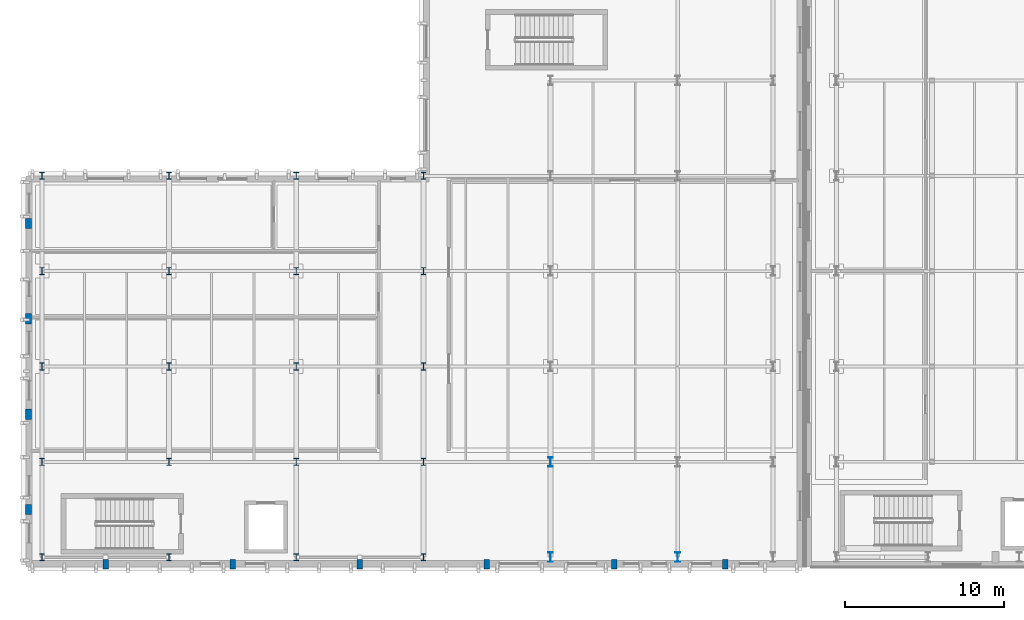
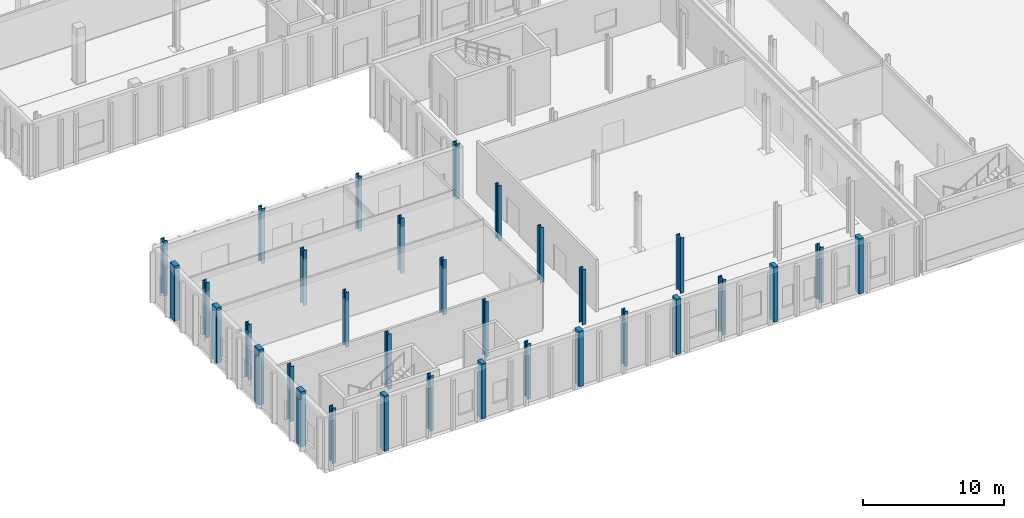
# One storey, part 1 of 60: 33 columns.
"""IFC4 building model written with IfcOpenShell, lengths in metres."""

from ifc_helpers import new_model, si_unit, direction, frame, origin, origin_2d, place, context, subcontext, project, spatial, rectangle, i_section, extrude, material, material_profile, profile_set, type_object, element, save


model = new_model("IFC4")

# Units and contexts
model_context = context("Model", 3, precision=1e-05, world=origin(), true_north=direction((0.0, 1.0)))
body_context = subcontext(model_context, "Body", "Model", "MODEL_VIEW")
ifc_project = project(units=[si_unit("LENGTHUNIT", "METRE"), si_unit("AREAUNIT", "SQUARE_METRE"), si_unit("VOLUMEUNIT", "CUBIC_METRE"), si_unit("PLANEANGLEUNIT", "RADIAN"), si_unit("MASSUNIT", "GRAM", prefix="KILO")], contexts=[model_context])

# Site, building, storey
site_placement = place(None, origin())
site = spatial("IfcSite", under=ifc_project, at=site_placement, CompositionType="ELEMENT")
building_placement = place(site_placement, origin())
building = spatial("IfcBuilding", under=site, at=building_placement, Name="Cymarion Research Institute", CompositionType="ELEMENT")
storey_placement = place(building_placement, origin())
storey = spatial("IfcBuildingStorey", under=building, at=storey_placement, Name="L00", CompositionType="ELEMENT", Elevation=0.0)

# Columns
ifc_material_1 = material(Name="Concrete C40/50", Category="concrete")
ifc_material_profile_1 = material_profile(ifc_material_1, rectangle(XDim=0.35009765625, YDim=0.60009765625, at=origin_2d()), Name="RC 350x600")
ifc_profile_set_1 = profile_set([ifc_material_profile_1], Name="Concrete C40/50")
column_type_1 = type_object("IfcColumnType", Name="CONCRETE PILASTER PL01 RC 350x600", PredefinedType="PILASTER", material=ifc_profile_set_1)
for number, where, z_axis, x_axis, name in (
    (1, (10.60009765625, 5.050048828125, 0.0), (0.0, 0.0, 1.0), (1.0, 0.0, 0.0), "L00 V3 column PL01 #247"),
    (2, (18.60009765625, 5.050048828125, 0.0), (0.0, 0.0, 1.0), (1.0, 0.0, 0.0), "L00 V3 column PL01 #262"),
    (3, (26.60009765625, 5.050048828125, 0.0), (0.0, 0.0, 1.0), (1.0, 0.0, 0.0), "L00 V3 column PL01 #278"),
    (4, (34.60009765625, 5.050048828125, 0.0), (0.0, 0.0, 1.0), (1.0, 0.0, 0.0), "L00 V3 column PL01 #294"),
    (5, (42.60009765625, 5.050048828125, 0.0), (0.0, 0.0, 1.0), (1.0, 0.0, 0.0), "L00 V3 column PL01 #316"),
    (6, (49.60009765625, 5.050048828125, 0.0), (0.0, 0.0, 1.0), (1.0, 0.0, 0.0), "L00 V3 column PL01 #333"),
):
    element("IfcColumn", number, at=place(storey_placement, frame(where, z_axis=z_axis, x_axis=x_axis)), inside=storey, type_object=column_type_1, Name=name, PredefinedType="PILASTER", context=body_context, shape_type="SweptSolid", body=[
        extrude(rectangle(XDim=0.35009765625, YDim=0.60009765625, at=origin_2d()), origin(), (0.0, 0.0, 1.0), 4.800048828125),
    ])
ifc_material_profile_2 = material_profile(ifc_material_1, rectangle(XDim=0.39990234375, YDim=0.64990234375, at=origin_2d()), Name="RC 400x650")
ifc_profile_set_2 = profile_set([ifc_material_profile_2], Name="Concrete C40/50")
column_type_2 = type_object("IfcColumnType", Name="CONCRETE PILASTER PL02 RC 400x650", PredefinedType="PILASTER", material=ifc_profile_set_2)
for number, where, z_axis, x_axis, name in (
    (7, (5.75, 8.5, 0.0), (0.0, 0.0, 1.0), (1.0, 0.0, 0.0), "L00 V3 column PL02 #228"),
    (8, (5.75, 14.5, 0.0), (0.0, 0.0, 1.0), (1.0, 0.0, 0.0), "L00 V3 column PL02 #229"),
    (9, (5.75, 20.5, 0.0), (0.0, 0.0, 1.0), (1.0, 0.0, 0.0), "L00 V3 column PL02 #230"),
    (10, (5.75, 26.5, 0.0), (0.0, 0.0, 1.0), (1.0, 0.0, 0.0), "L00 V3 column PL02 #231"),
):
    element("IfcColumn", number, at=place(storey_placement, frame(where, z_axis=z_axis, x_axis=x_axis)), inside=storey, type_object=column_type_2, Name=name, PredefinedType="PILASTER", context=body_context, shape_type="SweptSolid", body=[
        extrude(rectangle(XDim=0.39990234375, YDim=0.64990234375, at=origin_2d()), origin(), (0.0, 0.0, 1.0), 4.800048828125),
    ])
ifc_material_2 = material(Name="Steel S355", Category="steel")
ifc_material_profile_3 = material_profile(ifc_material_2, i_section(OverallWidth=0.300048828125, OverallDepth=0.60009765625, WebThickness=0.015380859375, FlangeThickness=0.030029296875, FilletRadius=0.027099609375, at=origin_2d()), Name="HEB 600")
ifc_profile_set_3 = profile_set([ifc_material_profile_3], Name="Steel S355")
column_type_3 = type_object("IfcColumnType", Name="STRUCTURAL COLUMN C02 HEB 600", PredefinedType="COLUMN", material=ifc_profile_set_3)
for number, where, z_axis, x_axis, name in (
    (11, (38.60009765625, 5.5, 0.0), (0.0, 0.0, 1.0), (1.0, 0.0, 0.0), "L00 V3 column C02 #298"),
    (12, (38.60009765625, 11.5, 0.0), (0.0, 0.0, 1.0), (1.0, 0.0, 0.0), "L00 V3 column C02 #299"),
    (13, (46.60009765625, 5.5, 0.0), (0.0, 0.0, 1.0), (1.0, 0.0, 0.0), "L00 V3 column C02 #320"),
):
    element("IfcColumn", number, at=place(storey_placement, frame(where, z_axis=z_axis, x_axis=x_axis)), inside=storey, type_object=column_type_3, Name=name, PredefinedType="COLUMN", context=body_context, shape_type="SweptSolid", body=[
        extrude(i_section(OverallWidth=0.300048828125, OverallDepth=0.60009765625, WebThickness=0.015380859375, FlangeThickness=0.030029296875, FilletRadius=0.027099609375, at=origin_2d()), origin(), (0.0, 0.0, 1.0), 4.800048828125),
    ])
ifc_material_profile_4 = material_profile(ifc_material_2, i_section(OverallWidth=0.300048828125, OverallDepth=0.449951171875, WebThickness=0.013916015625, FlangeThickness=0.02587890625, FilletRadius=0.027099609375, at=origin_2d()), Name="HEB 450")
ifc_profile_set_4 = profile_set([ifc_material_profile_4], Name="Steel S355")
column_type_4 = type_object("IfcColumnType", Name="STRUCTURAL COLUMN C05 HEB 450", PredefinedType="COLUMN", material=ifc_profile_set_4)
for number, where, z_axis, x_axis, name in (
    (14, (6.60009765625, 5.5, 0.0), (0.0, 0.0, 1.0), (1.0, 0.0, 0.0), "L00 V3 column C05 #232"),
    (15, (6.60009765625, 11.5, 0.0), (0.0, 0.0, 1.0), (1.0, 0.0, 0.0), "L00 V3 column C05 #233"),
    (16, (6.60009765625, 17.5, 0.0), (0.0, 0.0, 1.0), (1.0, 0.0, 0.0), "L00 V3 column C05 #234"),
    (17, (6.60009765625, 23.5, 0.0), (0.0, 0.0, 1.0), (1.0, 0.0, 0.0), "L00 V3 column C05 #235"),
    (18, (6.60009765625, 29.5, 0.0), (0.0, 0.0, 1.0), (1.0, 0.0, 0.0), "L00 V3 column C05 #236"),
    (19, (14.60009765625, 5.5, 0.0), (0.0, 0.0, 1.0), (1.0, 0.0, 0.0), "L00 V3 column C05 #248"),
    (20, (14.60009765625, 11.5, 0.0), (0.0, 0.0, 1.0), (1.0, 0.0, 0.0), "L00 V3 column C05 #249"),
    (21, (14.60009765625, 17.5, 0.0), (0.0, 0.0, 1.0), (1.0, 0.0, 0.0), "L00 V3 column C05 #250"),
    (22, (14.60009765625, 23.5, 0.0), (0.0, 0.0, 1.0), (1.0, 0.0, 0.0), "L00 V3 column C05 #251"),
    (23, (14.60009765625, 29.5, 0.0), (0.0, 0.0, 1.0), (1.0, 0.0, 0.0), "L00 V3 column C05 #252"),
    (24, (22.60009765625, 5.5, 0.0), (0.0, 0.0, 1.0), (1.0, 0.0, 0.0), "L00 V3 column C05 #263"),
    (25, (22.60009765625, 11.5, 0.0), (0.0, 0.0, 1.0), (1.0, 0.0, 0.0), "L00 V3 column C05 #264"),
    (26, (22.60009765625, 17.5, 0.0), (0.0, 0.0, 1.0), (1.0, 0.0, 0.0), "L00 V3 column C05 #265"),
    (27, (22.60009765625, 23.5, 0.0), (0.0, 0.0, 1.0), (1.0, 0.0, 0.0), "L00 V3 column C05 #266"),
    (28, (22.60009765625, 29.5, 0.0), (0.0, 0.0, 1.0), (1.0, 0.0, 0.0), "L00 V3 column C05 #267"),
    (29, (30.60009765625, 5.5, 0.0), (0.0, 0.0, 1.0), (1.0, 0.0, 0.0), "L00 V3 column C05 #279"),
    (30, (30.60009765625, 11.5, 0.0), (0.0, 0.0, 1.0), (1.0, 0.0, 0.0), "L00 V3 column C05 #280"),
    (31, (30.60009765625, 17.5, 0.0), (0.0, 0.0, 1.0), (1.0, 0.0, 0.0), "L00 V3 column C05 #281"),
    (32, (30.60009765625, 23.5, 0.0), (0.0, 0.0, 1.0), (1.0, 0.0, 0.0), "L00 V3 column C05 #282"),
    (33, (30.60009765625, 29.5, 0.0), (0.0, 0.0, 1.0), (1.0, 0.0, 0.0), "L00 V3 column C05 #283"),
):
    element("IfcColumn", number, at=place(storey_placement, frame(where, z_axis=z_axis, x_axis=x_axis)), inside=storey, type_object=column_type_4, Name=name, PredefinedType="COLUMN", context=body_context, shape_type="SweptSolid", body=[
        extrude(i_section(OverallWidth=0.300048828125, OverallDepth=0.449951171875, WebThickness=0.013916015625, FlangeThickness=0.02587890625, FilletRadius=0.027099609375, at=origin_2d()), origin(), (0.0, 0.0, 1.0), 4.800048828125),
    ])

save(model, "model.ifc")
